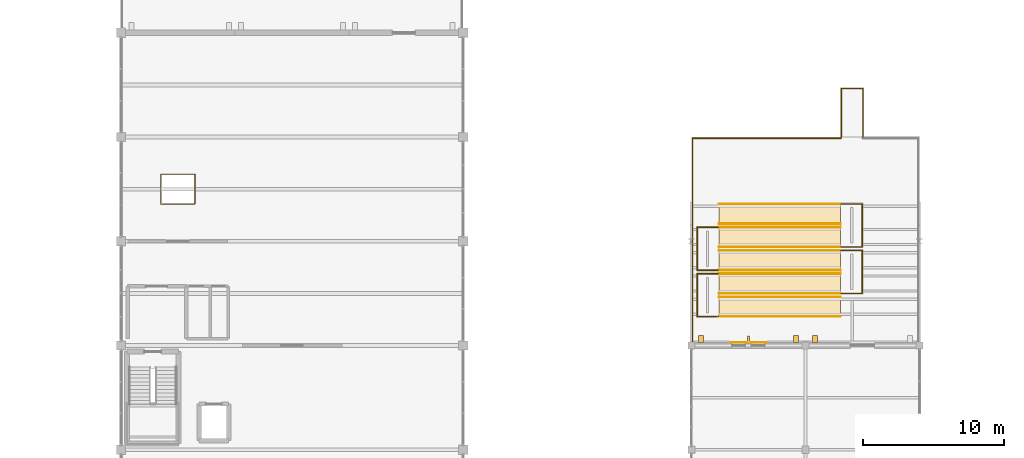
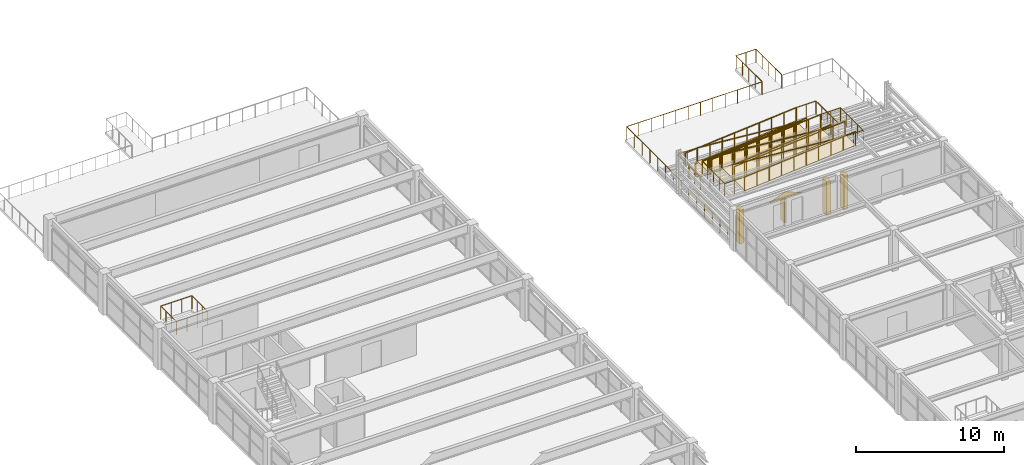
# One storey, part 91 of 93: 17 railings, 6 coverings, 4 shading devices.
"""IFC4 building model written with IfcOpenShell, lengths in metres."""

from ifc_helpers import new_model, si_unit, direction, frame, origin, origin_2d, place, context, subcontext, project, spatial, polyline, rectangle, circle, outline, extrude, material, layer, layer_set, type_object, element, save


model = new_model("IFC4")

# Units and contexts
model_context = context("Model", 3, precision=1e-05, world=origin(), true_north=direction((0.0, 1.0)))
body_context = subcontext(model_context, "Body", "Model", "MODEL_VIEW")
ifc_project = project(units=[si_unit("LENGTHUNIT", "METRE"), si_unit("AREAUNIT", "SQUARE_METRE"), si_unit("VOLUMEUNIT", "CUBIC_METRE"), si_unit("PLANEANGLEUNIT", "RADIAN"), si_unit("MASSUNIT", "GRAM", prefix="KILO")], contexts=[model_context])

# Site, building, storey
site_placement = place(None, origin())
site = spatial("IfcSite", under=ifc_project, at=site_placement, CompositionType="ELEMENT")
building_placement = place(site_placement, origin())
building = spatial("IfcBuilding", under=site, at=building_placement, Name="Cimatlan Art Gallery", CompositionType="ELEMENT")
storey_placement = place(building_placement, frame((0.0, 0.0, 13.800048828125)))
storey = spatial("IfcBuildingStorey", under=building, at=storey_placement, Name="L03", CompositionType="ELEMENT", Elevation=13.800048828125)

# Coverings
ifc_material_1 = material(Name="Queretaro cantera limestone ashlar hood-mould", Category="masonry")
ifc_layer = layer(ifc_material_1, 0.0419921875)
ifc_layer_set = layer_set([ifc_layer], Name="Queretaro cantera limestone ashlar hood-mould")
covering_type = type_object("IfcCoveringType", Name="COV-CLAD-CANTERA-42", PredefinedType="CLADDING", material=ifc_layer_set)
covering_placement = place(storey_placement, frame((118.14990234375, 68.47802734375, 2.64990234375), z_axis=(0.0, -1.0, 0.0), x_axis=(1.0, 0.0, 0.0)))
element("IfcCovering", 1, at=covering_placement, inside=storey, type_object=covering_type, Name="CLD-088", PredefinedType="CLADDING", context=body_context, shape_type="SweptSolid", body=[
    extrude(outline(polyline([(0.0, 0.0), (2.60009765625, 0.0), (1.300048828125, 0.52001953125), (0.0, 0.0)])), origin(), (0.0, 0.0, -1.0), 0.0419921875),
])
for number, where, z_axis, x_axis, name in (
    (2, (117.35009765625, 76.89990234375, 0.0), (-0.08304314939, 0.0, 0.996545952447), (0.996545952447, 0.0, 0.08304314939), "COV-RMP-TER-U4-FL1"),
    (3, (117.35009765625, 75.25, 1.43994140625), (0.08304314939, 0.0, 0.996545952447), (0.996545952447, 0.0, -0.08304314939), "COV-RMP-TER-U4-FL2"),
    (4, (117.35009765625, 73.60009765625, 1.43994140625), (-0.08304314939, 0.0, 0.996545952447), (0.996545952447, 0.0, 0.08304314939), "COV-RMP-TER-U4-FL3"),
    (5, (117.35009765625, 71.949951171875, 2.8798828125), (0.08304314939, 0.0, 0.996545952447), (0.996545952447, 0.0, -0.08304314939), "COV-RMP-TER-U4-FL4"),
    (6, (117.35009765625, 70.300048828125, 2.8798828125), (-0.08304314939, 0.0, 0.996545952447), (0.996545952447, 0.0, 0.08304314939), "COV-RMP-TER-U4-FL5"),
):
    element("IfcCovering", number, at=place(storey_placement, frame(where, z_axis=z_axis, x_axis=x_axis)), inside=storey, type_object=covering_type, Name=name, PredefinedType="CLADDING", context=body_context, shape_type="SweptSolid", body=[
        extrude(outline(polyline([(0.0, 0.0), (8.669838612967244, 0.0), (8.669838612967244, 1.5000000000000004), (0.0, 1.5000000000000004), (0.0, 0.0)])), origin(), (0.0, 0.0, -1.0), 0.02490234375),
    ])

# Railings
ifc_material_2 = material(Name="Anodised bronze and laminated glass balustrade", Category="glass")
railing_type_1 = type_object("IfcRailingType", Name="RL-BAL-EXT-1100", PredefinedType="BALUSTRADE", material=ifc_material_2)
railing_1_placement = place(storey_placement, frame((126.0400390625, 83.10009765625, 0.0)))
element("IfcRailing", 7, at=railing_1_placement, inside=storey, type_object=railing_type_1, Name="RMP-TER-B4-GR-L5", PredefinedType="BALUSTRADE", context=body_context, shape_type="SweptSolid", body=[
    extrude(circle(Radius=0.02587890625, at=origin_2d()), frame((0.0, 0.0, 1.09423828125), z_axis=(0.0, 1.0, 0.0), x_axis=(-1.0, 0.0, 0.0)), (0.0, 0.0, 1.0), 3.449951171875),
    extrude(circle(Radius=0.02587890625, at=origin_2d()), frame((0.0, 3.449951171875, 1.09423828125), z_axis=(1.0, 0.0, 0.0), x_axis=(0.0, 1.0, 0.0)), (0.0, 0.0, 1.0), 1.550048828125),
    extrude(circle(Radius=0.02587890625, at=origin_2d()), frame((1.550048828125, 3.449951171875, 1.09423828125), z_axis=(0.0, -1.0, 0.0), x_axis=(1.0, 0.0, 0.0)), (0.0, 0.0, 1.0), 3.449951171875),
    extrude(circle(Radius=0.02099609375, at=origin_2d()), origin(), (0.0, 0.0, 1.0), 1.068115234375),
    extrude(circle(Radius=0.02099609375, at=origin_2d()), frame((0.0, 0.862548828125, 0.0)), (0.0, 0.0, 1.0), 1.068115234375),
    extrude(circle(Radius=0.02099609375, at=origin_2d()), frame((0.0, 1.72509765625, 0.0)), (0.0, 0.0, 1.0), 1.068115234375),
    extrude(circle(Radius=0.02099609375, at=origin_2d()), frame((0.0, 2.58740234375, 0.0)), (0.0, 0.0, 1.0), 1.068115234375),
    extrude(circle(Radius=0.02099609375, at=origin_2d()), frame((0.0, 3.449951171875, 0.0)), (0.0, 0.0, 1.0), 1.068115234375),
    extrude(circle(Radius=0.02099609375, at=origin_2d()), frame((0.77490234375, 3.449951171875, 0.0)), (0.0, 0.0, 1.0), 1.068115234375),
    extrude(circle(Radius=0.02099609375, at=origin_2d()), frame((1.550048828125, 3.449951171875, 0.0)), (0.0, 0.0, 1.0), 1.068115234375),
    extrude(circle(Radius=0.02099609375, at=origin_2d()), frame((1.550048828125, 2.58740234375, 0.0)), (0.0, 0.0, 1.0), 1.068115234375),
    extrude(circle(Radius=0.02099609375, at=origin_2d()), frame((1.550048828125, 1.72509765625, 0.0)), (0.0, 0.0, 1.0), 1.068115234375),
    extrude(circle(Radius=0.02099609375, at=origin_2d()), frame((1.550048828125, 0.862548828125, 0.0)), (0.0, 0.0, 1.0), 1.068115234375),
    extrude(circle(Radius=0.02099609375, at=origin_2d()), frame((1.550048828125, 0.0, 0.0)), (0.0, 0.0, 1.0), 1.068115234375),
])
for number, where, name in (
    (8, (117.35009765625, 76.949951171875, 0.0), "RMP-TER-U4-GR-F1S"),
    (9, (117.35009765625, 78.35009765625, 0.0), "RMP-TER-U4-GR-F1N"),
):
    element("IfcRailing", number, at=place(storey_placement, frame(where)), inside=storey, type_object=railing_type_1, Name=name, PredefinedType="BALUSTRADE", context=body_context, shape_type="SweptSolid", body=[
        extrude(circle(Radius=0.02587890625, at=origin_2d()), frame((0.0, 0.0, 1.09423828125), z_axis=(0.996545952447, 0.0, 0.08304314939), x_axis=(0.0, 1.0, 0.0)), (0.0, 0.0, 1.0), 8.669921875),
        extrude(circle(Radius=0.02099609375, at=origin_2d()), origin(), (0.0, 0.0, 1.0), 1.068115234375),
        extrude(circle(Radius=0.02099609375, at=origin_2d()), frame((0.9599609375, 0.0, 0.080078125)), (0.0, 0.0, 1.0), 1.068115234375),
        extrude(circle(Radius=0.02099609375, at=origin_2d()), frame((1.919921875, 0.0, 0.159912109375)), (0.0, 0.0, 1.0), 1.068115234375),
        extrude(circle(Radius=0.02099609375, at=origin_2d()), frame((2.8798828125, 0.0, 0.239990234375)), (0.0, 0.0, 1.0), 1.068115234375),
        extrude(circle(Radius=0.02099609375, at=origin_2d()), frame((3.83984375, 0.0, 0.320068359375)), (0.0, 0.0, 1.0), 1.068115234375),
        extrude(circle(Radius=0.02099609375, at=origin_2d()), frame((4.800048828125, 0.0, 0.39990234375)), (0.0, 0.0, 1.0), 1.068115234375),
        extrude(circle(Radius=0.02099609375, at=origin_2d()), frame((5.760009765625, 0.0, 0.47998046875)), (0.0, 0.0, 1.0), 1.068115234375),
        extrude(circle(Radius=0.02099609375, at=origin_2d()), frame((6.719970703125, 0.0, 0.56005859375)), (0.0, 0.0, 1.0), 1.068115234375),
        extrude(circle(Radius=0.02099609375, at=origin_2d()), frame((7.679931640625, 0.0, 0.639892578125)), (0.0, 0.0, 1.0), 1.068115234375),
        extrude(circle(Radius=0.02099609375, at=origin_2d()), frame((8.639892578125, 0.0, 0.719970703125)), (0.0, 0.0, 1.0), 1.068115234375),
    ])
railing_2_placement = place(storey_placement, frame((126.030029296875, 78.35009765625, 0.719970703125)))
element("IfcRailing", 10, at=railing_2_placement, inside=storey, type_object=railing_type_1, Name="RMP-TER-U4-GR-L1", PredefinedType="BALUSTRADE", context=body_context, shape_type="SweptSolid", body=[
    extrude(circle(Radius=0.02587890625, at=origin_2d()), frame((0.0, 0.0, 1.09423828125), z_axis=(1.0, 0.0, 0.0), x_axis=(0.0, 1.0, 0.0)), (0.0, 0.0, 1.0), 1.5),
    extrude(circle(Radius=0.02587890625, at=origin_2d()), frame((1.5, 0.0, 1.09423828125), z_axis=(0.0, -1.0, 0.0), x_axis=(1.0, 0.0, 0.0)), (0.0, 0.0, 1.0), 3.050048828125),
    extrude(circle(Radius=0.02587890625, at=origin_2d()), frame((1.5, -3.050048828125, 1.09423828125), z_axis=(-1.0, 0.0, 0.0), x_axis=(0.0, -1.0, 0.0)), (0.0, 0.0, 1.0), 1.5),
    extrude(circle(Radius=0.02099609375, at=origin_2d()), origin(), (0.0, 0.0, 1.0), 1.068115234375),
    extrude(circle(Radius=0.02099609375, at=origin_2d()), frame((0.75, 0.0, 0.0)), (0.0, 0.0, 1.0), 1.068115234375),
    extrude(circle(Radius=0.02099609375, at=origin_2d()), frame((1.5, 0.0, 0.0)), (0.0, 0.0, 1.0), 1.068115234375),
    extrude(circle(Radius=0.02099609375, at=origin_2d()), frame((1.5, -0.762451171875, 0.0)), (0.0, 0.0, 1.0), 1.068115234375),
    extrude(circle(Radius=0.02099609375, at=origin_2d()), frame((1.5, -1.52490234375, 0.0)), (0.0, 0.0, 1.0), 1.068115234375),
    extrude(circle(Radius=0.02099609375, at=origin_2d()), frame((1.5, -2.28759765625, 0.0)), (0.0, 0.0, 1.0), 1.068115234375),
    extrude(circle(Radius=0.02099609375, at=origin_2d()), frame((1.5, -3.050048828125, 0.0)), (0.0, 0.0, 1.0), 1.068115234375),
    extrude(circle(Radius=0.02099609375, at=origin_2d()), frame((0.75, -3.050048828125, 0.0)), (0.0, 0.0, 1.0), 1.068115234375),
    extrude(circle(Radius=0.02099609375, at=origin_2d()), frame((0.0, -3.050048828125, 0.0)), (0.0, 0.0, 1.0), 1.068115234375),
])
for number, where, name in (
    (11, (125.989990234375, 75.300048828125, 0.719970703125), "RMP-TER-U4-GR-F2S"),
    (12, (125.989990234375, 76.699951171875, 0.719970703125), "RMP-TER-U4-GR-F2N"),
):
    element("IfcRailing", number, at=place(storey_placement, frame(where)), inside=storey, type_object=railing_type_1, Name=name, PredefinedType="BALUSTRADE", context=body_context, shape_type="SweptSolid", body=[
        extrude(circle(Radius=0.02587890625, at=origin_2d()), frame((0.0, 0.0, 1.09423828125), z_axis=(-0.996545952447, 0.0, 0.08304314939), x_axis=(0.0, -1.0, 0.0)), (0.0, 0.0, 1.0), 8.669921875),
        extrude(circle(Radius=0.02099609375, at=origin_2d()), origin(), (0.0, 0.0, 1.0), 1.068115234375),
        extrude(circle(Radius=0.02099609375, at=origin_2d()), frame((-0.9599609375, 0.0, 0.080078125)), (0.0, 0.0, 1.0), 1.068115234375),
        extrude(circle(Radius=0.02099609375, at=origin_2d()), frame((-1.919921875, 0.0, 0.159912109375)), (0.0, 0.0, 1.0), 1.068115234375),
        extrude(circle(Radius=0.02099609375, at=origin_2d()), frame((-2.8798828125, 0.0, 0.239990234375)), (0.0, 0.0, 1.0), 1.068115234375),
        extrude(circle(Radius=0.02099609375, at=origin_2d()), frame((-3.83984375, 0.0, 0.320068359375)), (0.0, 0.0, 1.0), 1.068115234375),
        extrude(circle(Radius=0.02099609375, at=origin_2d()), frame((-4.800048828125, 0.0, 0.39990234375)), (0.0, 0.0, 1.0), 1.068115234375),
        extrude(circle(Radius=0.02099609375, at=origin_2d()), frame((-5.760009765625, 0.0, 0.47998046875)), (0.0, 0.0, 1.0), 1.068115234375),
        extrude(circle(Radius=0.02099609375, at=origin_2d()), frame((-6.719970703125, 0.0, 0.56005859375)), (0.0, 0.0, 1.0), 1.068115234375),
        extrude(circle(Radius=0.02099609375, at=origin_2d()), frame((-7.679931640625, 0.0, 0.639892578125)), (0.0, 0.0, 1.0), 1.068115234375),
        extrude(circle(Radius=0.02099609375, at=origin_2d()), frame((-8.639892578125, 0.0, 0.719970703125)), (0.0, 0.0, 1.0), 1.068115234375),
    ])
railing_3_placement = place(storey_placement, frame((117.31005859375, 76.699951171875, 1.43994140625)))
element("IfcRailing", 13, at=railing_3_placement, inside=storey, type_object=railing_type_1, Name="RMP-TER-U4-GR-L2", PredefinedType="BALUSTRADE", context=body_context, shape_type="SweptSolid", body=[
    extrude(circle(Radius=0.02587890625, at=origin_2d()), frame((0.0, 0.0, 1.09423828125), z_axis=(-1.0, 0.0, 0.0), x_axis=(0.0, -1.0, 0.0)), (0.0, 0.0, 1.0), 1.5),
    extrude(circle(Radius=0.02587890625, at=origin_2d()), frame((-1.5, 0.0, 1.09423828125), z_axis=(0.0, -1.0, 0.0), x_axis=(1.0, 0.0, 0.0)), (0.0, 0.0, 1.0), 3.050048828125),
    extrude(circle(Radius=0.02587890625, at=origin_2d()), frame((-1.5, -3.050048828125, 1.09423828125), z_axis=(1.0, 0.0, 0.0), x_axis=(0.0, 1.0, 0.0)), (0.0, 0.0, 1.0), 1.5),
    extrude(circle(Radius=0.02099609375, at=origin_2d()), origin(), (0.0, 0.0, 1.0), 1.068115234375),
    extrude(circle(Radius=0.02099609375, at=origin_2d()), frame((-0.75, 0.0, 0.0)), (0.0, 0.0, 1.0), 1.068115234375),
    extrude(circle(Radius=0.02099609375, at=origin_2d()), frame((-1.5, 0.0, 0.0)), (0.0, 0.0, 1.0), 1.068115234375),
    extrude(circle(Radius=0.02099609375, at=origin_2d()), frame((-1.5, -0.762451171875, 0.0)), (0.0, 0.0, 1.0), 1.068115234375),
    extrude(circle(Radius=0.02099609375, at=origin_2d()), frame((-1.5, -1.52490234375, 0.0)), (0.0, 0.0, 1.0), 1.068115234375),
    extrude(circle(Radius=0.02099609375, at=origin_2d()), frame((-1.5, -2.28759765625, 0.0)), (0.0, 0.0, 1.0), 1.068115234375),
    extrude(circle(Radius=0.02099609375, at=origin_2d()), frame((-1.5, -3.050048828125, 0.0)), (0.0, 0.0, 1.0), 1.068115234375),
    extrude(circle(Radius=0.02099609375, at=origin_2d()), frame((-0.75, -3.050048828125, 0.0)), (0.0, 0.0, 1.0), 1.068115234375),
    extrude(circle(Radius=0.02099609375, at=origin_2d()), frame((0.0, -3.050048828125, 0.0)), (0.0, 0.0, 1.0), 1.068115234375),
])
for number, where, name in (
    (14, (117.35009765625, 73.64990234375, 1.43994140625), "RMP-TER-U4-GR-F3S"),
    (15, (117.35009765625, 75.050048828125, 1.43994140625), "RMP-TER-U4-GR-F3N"),
):
    element("IfcRailing", number, at=place(storey_placement, frame(where)), inside=storey, type_object=railing_type_1, Name=name, PredefinedType="BALUSTRADE", context=body_context, shape_type="SweptSolid", body=[
        extrude(circle(Radius=0.02587890625, at=origin_2d()), frame((0.0, 0.0, 1.09423828125), z_axis=(0.996545952447, 0.0, 0.08304314939), x_axis=(0.0, 1.0, 0.0)), (0.0, 0.0, 1.0), 8.669921875),
        extrude(circle(Radius=0.02099609375, at=origin_2d()), origin(), (0.0, 0.0, 1.0), 1.068115234375),
        extrude(circle(Radius=0.02099609375, at=origin_2d()), frame((0.9599609375, 0.0, 0.080078125)), (0.0, 0.0, 1.0), 1.068115234375),
        extrude(circle(Radius=0.02099609375, at=origin_2d()), frame((1.919921875, 0.0, 0.159912109375)), (0.0, 0.0, 1.0), 1.068115234375),
        extrude(circle(Radius=0.02099609375, at=origin_2d()), frame((2.8798828125, 0.0, 0.239990234375)), (0.0, 0.0, 1.0), 1.068115234375),
        extrude(circle(Radius=0.02099609375, at=origin_2d()), frame((3.83984375, 0.0, 0.320068359375)), (0.0, 0.0, 1.0), 1.068115234375),
        extrude(circle(Radius=0.02099609375, at=origin_2d()), frame((4.800048828125, 0.0, 0.39990234375)), (0.0, 0.0, 1.0), 1.068115234375),
        extrude(circle(Radius=0.02099609375, at=origin_2d()), frame((5.760009765625, 0.0, 0.47998046875)), (0.0, 0.0, 1.0), 1.068115234375),
        extrude(circle(Radius=0.02099609375, at=origin_2d()), frame((6.719970703125, 0.0, 0.56005859375)), (0.0, 0.0, 1.0), 1.068115234375),
        extrude(circle(Radius=0.02099609375, at=origin_2d()), frame((7.679931640625, 0.0, 0.639892578125)), (0.0, 0.0, 1.0), 1.068115234375),
        extrude(circle(Radius=0.02099609375, at=origin_2d()), frame((8.639892578125, 0.0, 0.719970703125)), (0.0, 0.0, 1.0), 1.068115234375),
    ])
railing_4_placement = place(storey_placement, frame((126.030029296875, 75.050048828125, 2.159912109375)))
element("IfcRailing", 16, at=railing_4_placement, inside=storey, type_object=railing_type_1, Name="RMP-TER-U4-GR-L3", PredefinedType="BALUSTRADE", context=body_context, shape_type="SweptSolid", body=[
    extrude(circle(Radius=0.02587890625, at=origin_2d()), frame((0.0, 0.0, 1.09423828125), z_axis=(1.0, 0.0, 0.0), x_axis=(0.0, 1.0, 0.0)), (0.0, 0.0, 1.0), 1.5),
    extrude(circle(Radius=0.02587890625, at=origin_2d()), frame((1.5, 0.0, 1.09423828125), z_axis=(0.0, -1.0, 0.0), x_axis=(1.0, 0.0, 0.0)), (0.0, 0.0, 1.0), 3.050048828125),
    extrude(circle(Radius=0.02587890625, at=origin_2d()), frame((1.5, -3.050048828125, 1.09423828125), z_axis=(-1.0, 0.0, 0.0), x_axis=(0.0, -1.0, 0.0)), (0.0, 0.0, 1.0), 1.5),
    extrude(circle(Radius=0.02099609375, at=origin_2d()), origin(), (0.0, 0.0, 1.0), 1.068115234375),
    extrude(circle(Radius=0.02099609375, at=origin_2d()), frame((0.75, 0.0, 0.0)), (0.0, 0.0, 1.0), 1.068115234375),
    extrude(circle(Radius=0.02099609375, at=origin_2d()), frame((1.5, 0.0, 0.0)), (0.0, 0.0, 1.0), 1.068115234375),
    extrude(circle(Radius=0.02099609375, at=origin_2d()), frame((1.5, -0.762451171875, 0.0)), (0.0, 0.0, 1.0), 1.068115234375),
    extrude(circle(Radius=0.02099609375, at=origin_2d()), frame((1.5, -1.52490234375, 0.0)), (0.0, 0.0, 1.0), 1.068115234375),
    extrude(circle(Radius=0.02099609375, at=origin_2d()), frame((1.5, -2.28759765625, 0.0)), (0.0, 0.0, 1.0), 1.068115234375),
    extrude(circle(Radius=0.02099609375, at=origin_2d()), frame((1.5, -3.050048828125, 0.0)), (0.0, 0.0, 1.0), 1.068115234375),
    extrude(circle(Radius=0.02099609375, at=origin_2d()), frame((0.75, -3.050048828125, 0.0)), (0.0, 0.0, 1.0), 1.068115234375),
    extrude(circle(Radius=0.02099609375, at=origin_2d()), frame((0.0, -3.050048828125, 0.0)), (0.0, 0.0, 1.0), 1.068115234375),
])
for number, where, name in (
    (17, (125.989990234375, 72.0, 2.159912109375), "RMP-TER-U4-GR-F4S"),
    (18, (125.989990234375, 73.39990234375, 2.159912109375), "RMP-TER-U4-GR-F4N"),
):
    element("IfcRailing", number, at=place(storey_placement, frame(where)), inside=storey, type_object=railing_type_1, Name=name, PredefinedType="BALUSTRADE", context=body_context, shape_type="SweptSolid", body=[
        extrude(circle(Radius=0.02587890625, at=origin_2d()), frame((0.0, 0.0, 1.09423828125), z_axis=(-0.996545952447, 0.0, 0.08304314939), x_axis=(0.0, -1.0, 0.0)), (0.0, 0.0, 1.0), 8.669921875),
        extrude(circle(Radius=0.02099609375, at=origin_2d()), origin(), (0.0, 0.0, 1.0), 1.068115234375),
        extrude(circle(Radius=0.02099609375, at=origin_2d()), frame((-0.9599609375, 0.0, 0.080078125)), (0.0, 0.0, 1.0), 1.068115234375),
        extrude(circle(Radius=0.02099609375, at=origin_2d()), frame((-1.919921875, 0.0, 0.159912109375)), (0.0, 0.0, 1.0), 1.068115234375),
        extrude(circle(Radius=0.02099609375, at=origin_2d()), frame((-2.8798828125, 0.0, 0.239990234375)), (0.0, 0.0, 1.0), 1.068115234375),
        extrude(circle(Radius=0.02099609375, at=origin_2d()), frame((-3.83984375, 0.0, 0.320068359375)), (0.0, 0.0, 1.0), 1.068115234375),
        extrude(circle(Radius=0.02099609375, at=origin_2d()), frame((-4.800048828125, 0.0, 0.39990234375)), (0.0, 0.0, 1.0), 1.068115234375),
        extrude(circle(Radius=0.02099609375, at=origin_2d()), frame((-5.760009765625, 0.0, 0.47998046875)), (0.0, 0.0, 1.0), 1.068115234375),
        extrude(circle(Radius=0.02099609375, at=origin_2d()), frame((-6.719970703125, 0.0, 0.56005859375)), (0.0, 0.0, 1.0), 1.068115234375),
        extrude(circle(Radius=0.02099609375, at=origin_2d()), frame((-7.679931640625, 0.0, 0.639892578125)), (0.0, 0.0, 1.0), 1.068115234375),
        extrude(circle(Radius=0.02099609375, at=origin_2d()), frame((-8.639892578125, 0.0, 0.719970703125)), (0.0, 0.0, 1.0), 1.068115234375),
    ])
railing_5_placement = place(storey_placement, frame((117.31005859375, 73.39990234375, 2.8798828125)))
element("IfcRailing", 19, at=railing_5_placement, inside=storey, type_object=railing_type_1, Name="RMP-TER-U4-GR-L4", PredefinedType="BALUSTRADE", context=body_context, shape_type="SweptSolid", body=[
    extrude(circle(Radius=0.02587890625, at=origin_2d()), frame((0.0, 0.0, 1.09423828125), z_axis=(-1.0, 0.0, 0.0), x_axis=(0.0, -1.0, 0.0)), (0.0, 0.0, 1.0), 1.5),
    extrude(circle(Radius=0.02587890625, at=origin_2d()), frame((-1.5, 0.0, 1.09423828125), z_axis=(0.0, -1.0, 0.0), x_axis=(1.0, 0.0, 0.0)), (0.0, 0.0, 1.0), 3.0498046875),
    extrude(circle(Radius=0.02587890625, at=origin_2d()), frame((-1.5, -3.0498046875, 1.09423828125), z_axis=(1.0, 0.0, 0.0), x_axis=(0.0, 1.0, 0.0)), (0.0, 0.0, 1.0), 1.5),
    extrude(circle(Radius=0.02099609375, at=origin_2d()), origin(), (0.0, 0.0, 1.0), 1.068115234375),
    extrude(circle(Radius=0.02099609375, at=origin_2d()), frame((-0.75, 0.0, 0.0)), (0.0, 0.0, 1.0), 1.068115234375),
    extrude(circle(Radius=0.02099609375, at=origin_2d()), frame((-1.5, 0.0, 0.0)), (0.0, 0.0, 1.0), 1.068115234375),
    extrude(circle(Radius=0.02099609375, at=origin_2d()), frame((-1.5, -0.762451171875, 0.0)), (0.0, 0.0, 1.0), 1.068115234375),
    extrude(circle(Radius=0.02099609375, at=origin_2d()), frame((-1.5, -1.52490234375, 0.0)), (0.0, 0.0, 1.0), 1.068115234375),
    extrude(circle(Radius=0.02099609375, at=origin_2d()), frame((-1.5, -2.287353515625, 0.0)), (0.0, 0.0, 1.0), 1.068115234375),
    extrude(circle(Radius=0.02099609375, at=origin_2d()), frame((-1.5, -3.0498046875, 0.0)), (0.0, 0.0, 1.0), 1.068115234375),
    extrude(circle(Radius=0.02099609375, at=origin_2d()), frame((-0.75, -3.0498046875, 0.0)), (0.0, 0.0, 1.0), 1.068115234375),
    extrude(circle(Radius=0.02099609375, at=origin_2d()), frame((0.0, -3.0498046875, 0.0)), (0.0, 0.0, 1.0), 1.068115234375),
])
for number, where, name in (
    (20, (117.35009765625, 70.35009765625, 2.8798828125), "RMP-TER-U4-GR-F5S"),
    (21, (117.35009765625, 71.75, 2.8798828125), "RMP-TER-U4-GR-F5N"),
):
    element("IfcRailing", number, at=place(storey_placement, frame(where)), inside=storey, type_object=railing_type_1, Name=name, PredefinedType="BALUSTRADE", context=body_context, shape_type="SweptSolid", body=[
        extrude(circle(Radius=0.02587890625, at=origin_2d()), frame((0.0, 0.0, 1.09423828125), z_axis=(0.996545952447, 0.0, 0.08304314939), x_axis=(0.0, 1.0, 0.0)), (0.0, 0.0, 1.0), 8.669921875),
        extrude(circle(Radius=0.02099609375, at=origin_2d()), origin(), (0.0, 0.0, 1.0), 1.068115234375),
        extrude(circle(Radius=0.02099609375, at=origin_2d()), frame((0.9599609375, 0.0, 0.080078125)), (0.0, 0.0, 1.0), 1.068115234375),
        extrude(circle(Radius=0.02099609375, at=origin_2d()), frame((1.919921875, 0.0, 0.159912109375)), (0.0, 0.0, 1.0), 1.068115234375),
        extrude(circle(Radius=0.02099609375, at=origin_2d()), frame((2.8798828125, 0.0, 0.239990234375)), (0.0, 0.0, 1.0), 1.068115234375),
        extrude(circle(Radius=0.02099609375, at=origin_2d()), frame((3.83984375, 0.0, 0.320068359375)), (0.0, 0.0, 1.0), 1.068115234375),
        extrude(circle(Radius=0.02099609375, at=origin_2d()), frame((4.800048828125, 0.0, 0.39990234375)), (0.0, 0.0, 1.0), 1.068115234375),
        extrude(circle(Radius=0.02099609375, at=origin_2d()), frame((5.760009765625, 0.0, 0.47998046875)), (0.0, 0.0, 1.0), 1.068115234375),
        extrude(circle(Radius=0.02099609375, at=origin_2d()), frame((6.719970703125, 0.0, 0.56005859375)), (0.0, 0.0, 1.0), 1.068115234375),
        extrude(circle(Radius=0.02099609375, at=origin_2d()), frame((7.679931640625, 0.0, 0.639892578125)), (0.0, 0.0, 1.0), 1.068115234375),
        extrude(circle(Radius=0.02099609375, at=origin_2d()), frame((8.639892578125, 0.0, 0.719970703125)), (0.0, 0.0, 1.0), 1.068115234375),
    ])
railing_6_placement = place(storey_placement, frame((115.47998046875, 68.320068359375, 0.0)))
element("IfcRailing", 22, at=railing_6_placement, inside=storey, type_object=railing_type_1, Name="GR-TER-21", PredefinedType="BALUSTRADE", context=body_context, shape_type="SweptSolid", body=[
    extrude(circle(Radius=0.02587890625, at=origin_2d()), frame((0.0, 0.0, 1.09423828125), z_axis=(0.0, 1.0, 0.0), x_axis=(-1.0, 0.0, 0.0)), (0.0, 0.0, 1.0), 14.699951171875),
    extrude(circle(Radius=0.02587890625, at=origin_2d()), frame((0.0, 14.699951171875, 1.09423828125), z_axis=(1.0, 0.0, 0.0), x_axis=(0.0, 1.0, 0.0)), (0.0, 0.0, 1.0), 10.550048828125),
    extrude(circle(Radius=0.02099609375, at=origin_2d()), origin(), (0.0, 0.0, 1.0), 1.068115234375),
    extrude(circle(Radius=0.02099609375, at=origin_2d()), frame((0.0, 1.050048828125, 0.0)), (0.0, 0.0, 1.0), 1.068115234375),
    extrude(circle(Radius=0.02099609375, at=origin_2d()), frame((0.0, 2.10009765625, 0.0)), (0.0, 0.0, 1.0), 1.068115234375),
    extrude(circle(Radius=0.02099609375, at=origin_2d()), frame((0.0, 3.14990234375, 0.0)), (0.0, 0.0, 1.0), 1.068115234375),
    extrude(circle(Radius=0.02099609375, at=origin_2d()), frame((0.0, 4.199951171875, 0.0)), (0.0, 0.0, 1.0), 1.068115234375),
    extrude(circle(Radius=0.02099609375, at=origin_2d()), frame((0.0, 5.25, 0.0)), (0.0, 0.0, 1.0), 1.068115234375),
    extrude(circle(Radius=0.02099609375, at=origin_2d()), frame((0.0, 6.300048828125, 0.0)), (0.0, 0.0, 1.0), 1.068115234375),
    extrude(circle(Radius=0.02099609375, at=origin_2d()), frame((0.0, 7.35009765625, 0.0)), (0.0, 0.0, 1.0), 1.068115234375),
    extrude(circle(Radius=0.02099609375, at=origin_2d()), frame((0.0, 8.39990234375, 0.0)), (0.0, 0.0, 1.0), 1.068115234375),
    extrude(circle(Radius=0.02099609375, at=origin_2d()), frame((0.0, 9.449951171875, 0.0)), (0.0, 0.0, 1.0), 1.068115234375),
    extrude(circle(Radius=0.02099609375, at=origin_2d()), frame((0.0, 10.5, 0.0)), (0.0, 0.0, 1.0), 1.068115234375),
    extrude(circle(Radius=0.02099609375, at=origin_2d()), frame((0.0, 11.550048828125, 0.0)), (0.0, 0.0, 1.0), 1.068115234375),
    extrude(circle(Radius=0.02099609375, at=origin_2d()), frame((0.0, 12.599853515625, 0.0)), (0.0, 0.0, 1.0), 1.068115234375),
    extrude(circle(Radius=0.02099609375, at=origin_2d()), frame((0.0, 13.64990234375, 0.0)), (0.0, 0.0, 1.0), 1.068115234375),
    extrude(circle(Radius=0.02099609375, at=origin_2d()), frame((0.0, 14.699951171875, 0.0)), (0.0, 0.0, 1.0), 1.068115234375),
    extrude(circle(Radius=0.02099609375, at=origin_2d()), frame((0.958984375, 14.699951171875, 0.0)), (0.0, 0.0, 1.0), 1.068115234375),
    extrude(circle(Radius=0.02099609375, at=origin_2d()), frame((1.918212890625, 14.699951171875, 0.0)), (0.0, 0.0, 1.0), 1.068115234375),
    extrude(circle(Radius=0.02099609375, at=origin_2d()), frame((2.877197265625, 14.699951171875, 0.0)), (0.0, 0.0, 1.0), 1.068115234375),
    extrude(circle(Radius=0.02099609375, at=origin_2d()), frame((3.83642578125, 14.699951171875, 0.0)), (0.0, 0.0, 1.0), 1.068115234375),
    extrude(circle(Radius=0.02099609375, at=origin_2d()), frame((4.79541015625, 14.699951171875, 0.0)), (0.0, 0.0, 1.0), 1.068115234375),
    extrude(circle(Radius=0.02099609375, at=origin_2d()), frame((5.754638671875, 14.699951171875, 0.0)), (0.0, 0.0, 1.0), 1.068115234375),
    extrude(circle(Radius=0.02099609375, at=origin_2d()), frame((6.713623046875, 14.699951171875, 0.0)), (0.0, 0.0, 1.0), 1.068115234375),
    extrude(circle(Radius=0.02099609375, at=origin_2d()), frame((7.6728515625, 14.699951171875, 0.0)), (0.0, 0.0, 1.0), 1.068115234375),
    extrude(circle(Radius=0.02099609375, at=origin_2d()), frame((8.6318359375, 14.699951171875, 0.0)), (0.0, 0.0, 1.0), 1.068115234375),
    extrude(circle(Radius=0.02099609375, at=origin_2d()), frame((9.591064453125, 14.699951171875, 0.0)), (0.0, 0.0, 1.0), 1.068115234375),
    extrude(circle(Radius=0.02099609375, at=origin_2d()), frame((10.550048828125, 14.699951171875, 0.0)), (0.0, 0.0, 1.0), 1.068115234375),
])
ifc_material_3 = material(Name="Painted steel and bronze interior balustrade", Category="steel")
railing_type_2 = type_object("IfcRailingType", Name="RL-BAL-INT-1120", PredefinedType="BALUSTRADE", material=ifc_material_3)
railing_7_placement = place(storey_placement, frame((77.739990234375, 78.340087890625, 0.0)))
element("IfcRailing", 23, at=railing_7_placement, inside=storey, type_object=railing_type_2, Name="GR-OCU-L03-B3N", PredefinedType="BALUSTRADE", context=body_context, shape_type="SweptSolid", body=[
    extrude(circle(Radius=0.02392578125, at=origin_2d()), frame((0.0, 0.0, 1.09619140625), z_axis=(1.0, 0.0, 0.0), x_axis=(0.0, 1.0, 0.0)), (0.0, 0.0, 1.0), 2.419921875),
    extrude(circle(Radius=0.02392578125, at=origin_2d()), frame((2.419921875, 0.0, 1.09619140625), z_axis=(0.0, 1.0, 0.0), x_axis=(-1.0, 0.0, 0.0)), (0.0, 0.0, 1.0), 2.119873046875),
    extrude(circle(Radius=0.02392578125, at=origin_2d()), frame((2.419921875, 2.119873046875, 1.09619140625), z_axis=(-1.0, 0.0, 0.0), x_axis=(0.0, -1.0, 0.0)), (0.0, 0.0, 1.0), 2.419921875),
    extrude(circle(Radius=0.02392578125, at=origin_2d()), frame((0.0, 2.119873046875, 1.09619140625), z_axis=(0.0, -1.0, 0.0), x_axis=(1.0, 0.0, 0.0)), (0.0, 0.0, 1.0), 2.080078125),
    extrude(circle(Radius=0.02001953125, at=origin_2d()), origin(), (0.0, 0.0, 1.0), 1.072021484375),
    extrude(circle(Radius=0.02001953125, at=origin_2d()), frame((0.806640625, 0.0, 0.0)), (0.0, 0.0, 1.0), 1.072021484375),
    extrude(circle(Radius=0.02001953125, at=origin_2d()), frame((1.61328125, 0.0, 0.0)), (0.0, 0.0, 1.0), 1.072021484375),
    extrude(circle(Radius=0.02001953125, at=origin_2d()), frame((2.419921875, 0.0, 0.0)), (0.0, 0.0, 1.0), 1.072021484375),
    extrude(circle(Radius=0.02001953125, at=origin_2d()), frame((2.419921875, 0.70654296875, 0.0)), (0.0, 0.0, 1.0), 1.072021484375),
    extrude(circle(Radius=0.02001953125, at=origin_2d()), frame((2.419921875, 1.413330078125, 0.0)), (0.0, 0.0, 1.0), 1.072021484375),
    extrude(circle(Radius=0.02001953125, at=origin_2d()), frame((2.419921875, 2.119873046875, 0.0)), (0.0, 0.0, 1.0), 1.072021484375),
    extrude(circle(Radius=0.02001953125, at=origin_2d()), frame((1.61328125, 2.119873046875, 0.0)), (0.0, 0.0, 1.0), 1.072021484375),
    extrude(circle(Radius=0.02001953125, at=origin_2d()), frame((0.806640625, 2.119873046875, 0.0)), (0.0, 0.0, 1.0), 1.072021484375),
    extrude(circle(Radius=0.02001953125, at=origin_2d()), frame((0.0, 2.119873046875, 0.0)), (0.0, 0.0, 1.0), 1.072021484375),
    extrude(circle(Radius=0.02001953125, at=origin_2d()), frame((0.0, 1.426513671875, 0.0)), (0.0, 0.0, 1.0), 1.072021484375),
    extrude(circle(Radius=0.02001953125, at=origin_2d()), frame((0.0, 0.733154296875, 0.0)), (0.0, 0.0, 1.0), 1.072021484375),
    extrude(circle(Radius=0.02001953125, at=origin_2d()), frame((0.0, 0.039794921875, 0.0)), (0.0, 0.0, 1.0), 1.072021484375),
])

# Shading devices
ifc_material_4 = material(Name="Queretaro cantera limestone buttress pilaster", Category="masonry")
shading_device_type_1 = type_object("IfcShadingDeviceType", Name="SHD-BUT-520", PredefinedType="USERDEFINED", material=ifc_material_4)
for number, where, z_axis, x_axis, name in (
    (24, (116.073974609375, 68.758056640625, 0.059814453125), (0.0, 0.0, 1.0), (1.0, 0.0, 0.0), "BUT-0413"),
    (25, (122.825927734375, 68.758056640625, 0.059814453125), (0.0, 0.0, 1.0), (1.0, 0.0, 0.0), "BUT-0414"),
    (26, (124.174072265625, 68.758056640625, 0.059814453125), (0.0, 0.0, 1.0), (1.0, 0.0, 0.0), "BUT-0425"),
):
    element("IfcShadingDevice", number, at=place(storey_placement, frame(where, z_axis=z_axis, x_axis=x_axis)), inside=storey, type_object=shading_device_type_1, Name=name, ObjectType="FIN", PredefinedType="USERDEFINED", context=body_context, shape_type="SweptSolid", body=[
        extrude(rectangle(XDim=0.340087890625, YDim=0.52001953125, at=origin_2d()), origin(), (0.0, 0.0, 1.0), 2.7880859375),
    ])
ifc_material_5 = material(Name="Queretaro cantera limestone lancet mullion fin", Category="masonry")
shading_device_type_2 = type_object("IfcShadingDeviceType", Name="SHD-FIN-480", PredefinedType="USERDEFINED", material=ifc_material_5)
shading_device_placement = place(storey_placement, frame((119.449951171875, 68.738037109375, 0.599853515625), z_axis=(0.0, 0.0, 1.0), x_axis=(1.0, 0.0, 0.0)))
element("IfcShadingDevice", 27, at=shading_device_placement, inside=storey, type_object=shading_device_type_2, Name="FIN-132", ObjectType="FIN", PredefinedType="USERDEFINED", context=body_context, shape_type="SweptSolid", body=[
    extrude(rectangle(XDim=0.159912109375, YDim=0.47998046875, at=origin_2d()), origin(), (0.0, 0.0, 1.0), 2.02001953125),
])

save(model, "model.ifc")
